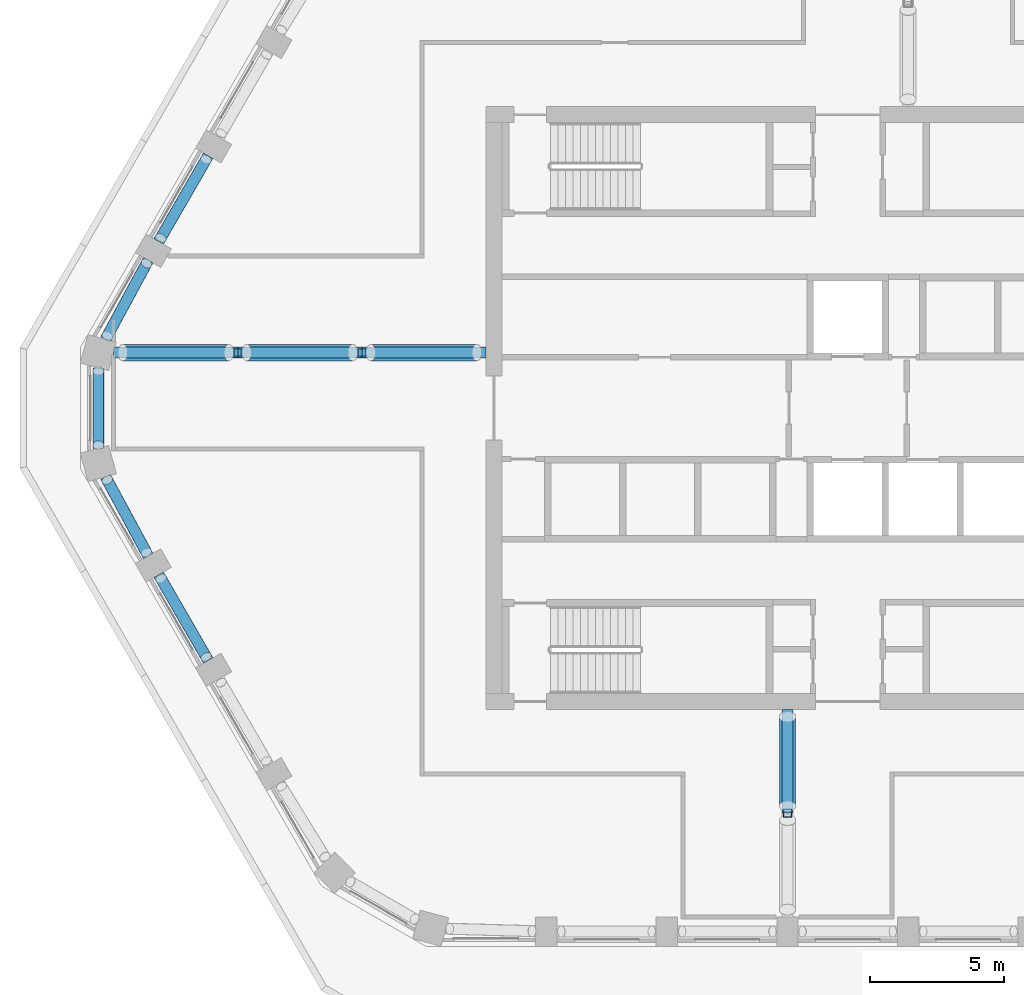
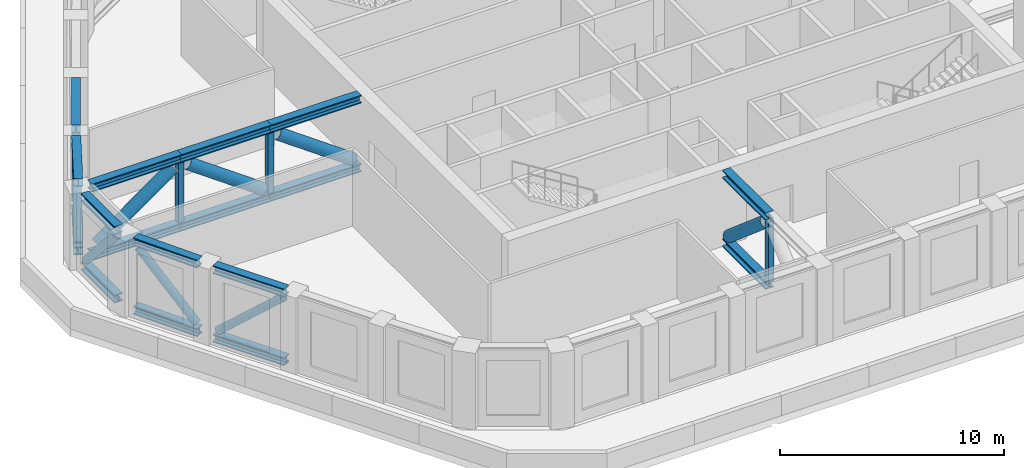
# One storey, part 2 of 15: 18 beams, 12 members.
"""IFC4 building model written with IfcOpenShell, lengths in metres."""

from ifc_helpers import new_model, si_unit, direction, frame, origin, origin_2d, place, context, subcontext, project, spatial, hollow_rectangle, hollow_circle, i_section, extrude, material, material_profile, profile_set, type_object, element, save


model = new_model("IFC4")

# Units and contexts
model_context = context("Model", 3, precision=1e-05, world=origin(), true_north=direction((0.0, 1.0)))
body_context = subcontext(model_context, "Body", "Model", "MODEL_VIEW")
ifc_project = project(units=[si_unit("LENGTHUNIT", "METRE"), si_unit("AREAUNIT", "SQUARE_METRE"), si_unit("VOLUMEUNIT", "CUBIC_METRE"), si_unit("PLANEANGLEUNIT", "RADIAN"), si_unit("MASSUNIT", "GRAM", prefix="KILO")], contexts=[model_context])

# Site, building, storey
site_placement = place(None, origin())
site = spatial("IfcSite", under=ifc_project, at=site_placement, CompositionType="ELEMENT")
building_placement = place(site_placement, origin())
building = spatial("IfcBuilding", under=site, at=building_placement, Name="Dhurran Vertical Campus", CompositionType="ELEMENT")
storey_placement = place(building_placement, frame((0.0, 0.0, 230.699951171875)))
storey = spatial("IfcBuildingStorey", under=building, at=storey_placement, Name="L57 Plant", CompositionType="ELEMENT", Elevation=230.699951171875)

# Beams
ifc_material_1 = material(Name="Steel ASTM A992", Category="steel")
ifc_material_profile_1 = material_profile(ifc_material_1, i_section(OverallWidth=0.412109375, OverallDepth=0.43505859375, WebThickness=0.035888671875, FlangeThickness=0.057373046875, at=origin_2d()), Name="W360x463")
ifc_profile_set_1 = profile_set([ifc_material_profile_1], Name="Steel ASTM A992")
beam_type_1 = type_object("IfcBeamType", Name="FR BELT CHORD W360x463", PredefinedType="BEAM", material=ifc_profile_set_1)
for number, where, z_axis, x_axis, name in (
    (1, (-23.870849609375, 9.4228515625, 0.217529296875), (-0.499964254978, -0.866046040199, 0.0), (0.866046040199, -0.499964254978, 0.0), "Belt truss chord L57"),
    (2, (-23.870849609375, 9.4228515625, 3.95751953125), (-0.499964254978, -0.866046040199, 0.0), (0.866046040199, -0.499964254978, 0.0), "Belt truss chord L57"),
):
    element("IfcBeam", number, at=place(storey_placement, frame(where, z_axis=z_axis, x_axis=x_axis)), inside=storey, type_object=beam_type_1, Name=name, PredefinedType="BEAM", context=body_context, shape_type="SweptSolid", body=[
        extrude(i_section(OverallWidth=0.412109375, OverallDepth=0.43505859375, WebThickness=0.035888671875, FlangeThickness=0.057373046875, at=origin_2d()), origin(), (0.0, 0.0, 1.0), 3.699951171875),
    ])
for number, where, z_axis, x_axis, name in (
    (3, (-26.11083984375, 5.52001953125, 0.217529296875), (-0.475045275209, -0.879961355118, 0.0), (0.879961355118, -0.475045275209, 0.0), "Belt truss chord L57"),
    (4, (-26.11083984375, 5.52001953125, 3.95751953125), (-0.475045275209, -0.879961355118, 0.0), (0.879961355118, -0.475045275209, 0.0), "Belt truss chord L57"),
):
    element("IfcBeam", number, at=place(storey_placement, frame(where, z_axis=z_axis, x_axis=x_axis)), inside=storey, type_object=beam_type_1, Name=name, PredefinedType="BEAM", context=body_context, shape_type="SweptSolid", body=[
        extrude(i_section(OverallWidth=0.412109375, OverallDepth=0.43505859375, WebThickness=0.035888671875, FlangeThickness=0.057373046875, at=origin_2d()), origin(), (0.0, 0.0, 1.0), 3.35595703125),
    ])
for number, where, z_axis, x_axis, name in (
    (5, (-27.973388671875, 1.5, 0.217529296875), (0.0, -1.0, 0.0), (1.0, 0.0, 0.0), "Belt truss chord L57"),
    (6, (-27.973388671875, 1.5, 3.95751953125), (0.0, -1.0, 0.0), (1.0, 0.0, 0.0), "Belt truss chord L57"),
):
    element("IfcBeam", number, at=place(storey_placement, frame(where, z_axis=z_axis, x_axis=x_axis)), inside=storey, type_object=beam_type_1, Name=name, PredefinedType="BEAM", context=body_context, shape_type="SweptSolid", body=[
        extrude(i_section(OverallWidth=0.412109375, OverallDepth=0.43505859375, WebThickness=0.035888671875, FlangeThickness=0.057373046875, at=origin_2d()), origin(), (0.0, 0.0, 1.0), 3.0),
    ])
for number, where, z_axis, x_axis, name in (
    (7, (-27.705078125, -2.56689453125, 0.217529296875), (0.475045275209, -0.879961355118, 0.0), (0.879961355118, 0.475045275209, 0.0), "Belt truss chord L57"),
    (8, (-27.705078125, -2.56689453125, 3.95751953125), (0.475045275209, -0.879961355118, 0.0), (0.879961355118, 0.475045275209, 0.0), "Belt truss chord L57"),
):
    element("IfcBeam", number, at=place(storey_placement, frame(where, z_axis=z_axis, x_axis=x_axis)), inside=storey, type_object=beam_type_1, Name=name, PredefinedType="BEAM", context=body_context, shape_type="SweptSolid", body=[
        extrude(i_section(OverallWidth=0.412109375, OverallDepth=0.43505859375, WebThickness=0.035888671875, FlangeThickness=0.057373046875, at=origin_2d()), origin(), (0.0, 0.0, 1.0), 3.35595703125),
    ])
for number, where, z_axis, x_axis, name in (
    (9, (-25.720703125, -6.218505859375, 0.217529296875), (0.499964254978, -0.866046040199, 0.0), (0.866046040199, 0.499964254978, 0.0), "Belt truss chord L57"),
    (10, (-25.720703125, -6.218505859375, 3.95751953125), (0.499964254978, -0.866046040199, 0.0), (0.866046040199, 0.499964254978, 0.0), "Belt truss chord L57"),
):
    element("IfcBeam", number, at=place(storey_placement, frame(where, z_axis=z_axis, x_axis=x_axis)), inside=storey, type_object=beam_type_1, Name=name, PredefinedType="BEAM", context=body_context, shape_type="SweptSolid", body=[
        extrude(i_section(OverallWidth=0.412109375, OverallDepth=0.43505859375, WebThickness=0.035888671875, FlangeThickness=0.057373046875, at=origin_2d()), origin(), (0.0, 0.0, 1.0), 3.699951171875),
    ])

# Members
ifc_material_2 = material(Name="Steel S355J2H", Category="steel")
ifc_material_profile_2 = material_profile(ifc_material_2, hollow_circle(Radius=0.203125, WallThickness=0.01611328125, at=origin_2d()), Name="CHS406.4x16")
ifc_profile_set_2 = profile_set([ifc_material_profile_2], Name="Steel S355J2H")
member_type_1 = type_object("IfcMemberType", Name="FR BELT DIAGONAL CHS406.4x16", PredefinedType="BRACE", material=ifc_profile_set_2)
member_1_placement = place(storey_placement, frame((-23.95556640625, 9.27587890625, 0.586669921875), z_axis=(-0.372911704288, -0.645863784224, 0.666180781044), x_axis=(0.866012586781, -0.500022199045, 0.0)))
element("IfcMember", 11, at=member_1_placement, inside=storey, type_object=member_type_1, Name="Belt truss diagonal L57", PredefinedType="BRACE", context=body_context, shape_type="SweptSolid", body=[
    extrude(hollow_circle(Radius=0.203125, WallThickness=0.01611328125, at=origin_2d()), origin(), (0.0, 0.0, 1.0), 4.506103515625),
])
member_2_placement = place(storey_placement, frame((-27.635009765625, 2.6962890625, 0.579833984375), z_axis=(0.338429667722, 0.62697831341, 0.701686222266), x_axis=(-0.879986727725, 0.474998272658, 0.0)))
element("IfcMember", 12, at=member_2_placement, inside=storey, type_object=member_type_1, Name="Belt truss diagonal L57", PredefinedType="BRACE", context=body_context, shape_type="SweptSolid", body=[
    extrude(hollow_circle(Radius=0.203125, WallThickness=0.01611328125, at=origin_2d()), origin(), (0.0, 0.0, 1.0), 4.29736328125),
])
member_3_placement = place(storey_placement, frame((-27.973388671875, 1.376220703125, 0.571533203125), z_axis=(0.0, -0.672150348738, 0.740414686977), x_axis=(1.0, 0.0, 0.0)))
element("IfcMember", 13, at=member_3_placement, inside=storey, type_object=member_type_1, Name="Belt truss diagonal L57", PredefinedType="BRACE", context=body_context, shape_type="SweptSolid", body=[
    extrude(hollow_circle(Radius=0.203125, WallThickness=0.01611328125, at=origin_2d()), origin(), (0.0, 0.0, 1.0), 4.094970703125),
])
member_4_placement = place(storey_placement, frame((-26.1806640625, -5.390625, 0.579833984375), z_axis=(-0.338429667722, 0.62697831341, 0.701686222266), x_axis=(-0.879986727725, -0.474998272658, 0.0)))
element("IfcMember", 14, at=member_4_placement, inside=storey, type_object=member_type_1, Name="Belt truss diagonal L57", PredefinedType="BRACE", context=body_context, shape_type="SweptSolid", body=[
    extrude(hollow_circle(Radius=0.203125, WallThickness=0.01611328125, at=origin_2d()), origin(), (0.0, 0.0, 1.0), 4.29736328125),
])
member_5_placement = place(storey_placement, frame((-25.635986328125, -6.365478515625, 0.586669921875), z_axis=(0.372911704288, -0.645863784224, 0.666180781044), x_axis=(0.866012586781, 0.500022199045, 0.0)))
element("IfcMember", 15, at=member_5_placement, inside=storey, type_object=member_type_1, Name="Belt truss diagonal L57", PredefinedType="BRACE", context=body_context, shape_type="SweptSolid", body=[
    extrude(hollow_circle(Radius=0.203125, WallThickness=0.01611328125, at=origin_2d()), origin(), (0.0, 0.0, 1.0), 4.506103515625),
])

# Beams
ifc_material_3 = material(Name="Steel ASTM A992", Category="steel")
ifc_material_profile_3 = material_profile(ifc_material_3, i_section(OverallWidth=0.412109375, OverallDepth=0.43505859375, WebThickness=0.035888671875, FlangeThickness=0.057373046875, at=origin_2d()), Name="W360x463")
ifc_profile_set_3 = profile_set([ifc_material_profile_3], Name="Steel ASTM A992")
beam_type_2 = type_object("IfcBeamType", Name="FR OUTRIGGER CHORD W360x463", PredefinedType="BEAM", material=ifc_profile_set_3)
for number, where, z_axis, x_axis, name in (
    (16, (-13.5, 2.069580078125, 0.217529296875), (-1.0, 0.0, 0.0), (0.0, -1.0, 0.0), "Outrigger truss chord L57"),
    (17, (-13.5, 2.069580078125, 3.95751953125), (-1.0, 0.0, 0.0), (0.0, -1.0, 0.0), "Outrigger truss chord L57"),
):
    element("IfcBeam", number, at=place(storey_placement, frame(where, z_axis=z_axis, x_axis=x_axis)), inside=storey, type_object=beam_type_2, Name=name, PredefinedType="BEAM", context=body_context, shape_type="SweptSolid", body=[
        extrude(i_section(OverallWidth=0.412109375, OverallDepth=0.43505859375, WebThickness=0.035888671875, FlangeThickness=0.057373046875, at=origin_2d()), origin(), (0.0, 0.0, 1.0), 4.634765625),
    ])
for number, where, z_axis, x_axis, name in (
    (18, (-18.134765625, 2.069580078125, 0.217529296875), (-1.0, 0.0, 0.0), (0.0, -1.0, 0.0), "Outrigger truss chord L57"),
    (19, (-18.134765625, 2.069580078125, 3.95751953125), (-1.0, 0.0, 0.0), (0.0, -1.0, 0.0), "Outrigger truss chord L57"),
):
    element("IfcBeam", number, at=place(storey_placement, frame(where, z_axis=z_axis, x_axis=x_axis)), inside=storey, type_object=beam_type_2, Name=name, PredefinedType="BEAM", context=body_context, shape_type="SweptSolid", body=[
        extrude(i_section(OverallWidth=0.412109375, OverallDepth=0.43505859375, WebThickness=0.035888671875, FlangeThickness=0.057373046875, at=origin_2d()), origin(), (0.0, 0.0, 1.0), 4.634521484375),
    ])
for number, where, z_axis, x_axis, name in (
    (20, (-22.769287109375, 2.069580078125, 0.217529296875), (-1.0, 0.0, 0.0), (0.0, -1.0, 0.0), "Outrigger truss chord L57"),
    (21, (-22.769287109375, 2.069580078125, 3.95751953125), (-1.0, 0.0, 0.0), (0.0, -1.0, 0.0), "Outrigger truss chord L57"),
):
    element("IfcBeam", number, at=place(storey_placement, frame(where, z_axis=z_axis, x_axis=x_axis)), inside=storey, type_object=beam_type_2, Name=name, PredefinedType="BEAM", context=body_context, shape_type="SweptSolid", body=[
        extrude(i_section(OverallWidth=0.412109375, OverallDepth=0.43505859375, WebThickness=0.035888671875, FlangeThickness=0.057373046875, at=origin_2d()), origin(), (0.0, 0.0, 1.0), 4.634765625),
    ])
for number, where, z_axis, x_axis, name in (
    (22, (-2.25, -11.25, 0.217529296875), (0.0, -1.0, 0.0), (1.0, 0.0, 0.0), "Outrigger truss chord L57"),
    (23, (-2.25, -11.25, 3.95751953125), (0.0, -1.0, 0.0), (1.0, 0.0, 0.0), "Outrigger truss chord L57"),
):
    element("IfcBeam", number, at=place(storey_placement, frame(where, z_axis=z_axis, x_axis=x_axis)), inside=storey, type_object=beam_type_2, Name=name, PredefinedType="BEAM", context=body_context, shape_type="SweptSolid", body=[
        extrude(i_section(OverallWidth=0.412109375, OverallDepth=0.43505859375, WebThickness=0.035888671875, FlangeThickness=0.057373046875, at=origin_2d()), origin(), (0.0, 0.0, 1.0), 3.869140625),
    ])

# Members
ifc_material_4 = material(Name="Steel S355J2H", Category="steel")
ifc_material_profile_4 = material_profile(ifc_material_4, hollow_circle(Radius=0.304931640625, WallThickness=0.02001953125, at=origin_2d()), Name="CHS610x20")
ifc_profile_set_4 = profile_set([ifc_material_profile_4], Name="Steel S355J2H")
member_type_2 = type_object("IfcMemberType", Name="FR OUTRIGGER DIAGONAL CHS610x20", PredefinedType="BRACE", material=ifc_profile_set_4)
member_6_placement = place(storey_placement, frame((-13.84814453125, 2.069580078125, 0.683349609375), z_axis=(-0.814207224043, 0.0, 0.580574367602), x_axis=(0.0, -1.0, 0.0)))
element("IfcMember", 24, at=member_6_placement, inside=storey, type_object=member_type_2, Name="Outrigger truss diagonal L57", PredefinedType="BRACE", context=body_context, shape_type="SweptSolid", body=[
    extrude(hollow_circle(Radius=0.304931640625, WallThickness=0.02001953125, at=origin_2d()), origin(), (0.0, 0.0, 1.0), 4.837158203125),
])
for number, where, z_axis, x_axis, name in (
    (25, (-18.48291015625, 2.069580078125, 0.683349609375), (-0.814190210717, 0.0, 0.580598226636), (0.0, -1.0, 0.0), "Outrigger truss diagonal L57"),
    (26, (-27.055908203125, 2.069580078125, 0.683349609375), (0.814190210717, 0.0, 0.580598226636), (0.0, 1.0, 0.0), "Outrigger truss diagonal L57"),
):
    element("IfcMember", number, at=place(storey_placement, frame(where, z_axis=z_axis, x_axis=x_axis)), inside=storey, type_object=member_type_2, Name=name, PredefinedType="BRACE", context=body_context, shape_type="SweptSolid", body=[
        extrude(hollow_circle(Radius=0.304931640625, WallThickness=0.02001953125, at=origin_2d()), origin(), (0.0, 0.0, 1.0), 4.8369140625),
    ])
member_7_placement = place(storey_placement, frame((-2.25, -11.521484375, 0.6669921875), z_axis=(0.0, -0.760378271958, 0.649480472019), x_axis=(1.0, 0.0, 0.0)))
element("IfcMember", 27, at=member_7_placement, inside=storey, type_object=member_type_2, Name="Outrigger truss diagonal L57", PredefinedType="BRACE", context=body_context, shape_type="SweptSolid", body=[
    extrude(hollow_circle(Radius=0.304931640625, WallThickness=0.02001953125, at=origin_2d()), origin(), (0.0, 0.0, 1.0), 4.374267578125),
])
ifc_material_5 = material(Name="Steel S355J2H", Category="steel")
ifc_material_profile_5 = material_profile(ifc_material_5, hollow_rectangle(XDim=0.300048828125, YDim=0.300048828125, WallThickness=0.012451171875, at=origin_2d()), Name="SHS300x300x12.5")
ifc_profile_set_5 = profile_set([ifc_material_profile_5], Name="Steel S355J2H")
member_type_3 = type_object("IfcMemberType", Name="FR OUTRIGGER POST SHS300x300x12.5", PredefinedType="POST", material=ifc_profile_set_5)
for number, where, z_axis, x_axis, name in (
    (28, (-18.134765625, 2.069580078125, 0.43505859375), (0.0, 0.0, 1.0), (-1.0, 0.0, 0.0), "Outrigger truss post L57"),
    (29, (-22.769287109375, 2.069580078125, 0.43505859375), (0.0, 0.0, 1.0), (-1.0, 0.0, 0.0), "Outrigger truss post L57"),
    (30, (-2.25, -15.119140625, 0.43505859375), (0.0, 0.0, 1.0), (0.0, -1.0, 0.0), "Outrigger truss post L57"),
):
    element("IfcMember", number, at=place(storey_placement, frame(where, z_axis=z_axis, x_axis=x_axis)), inside=storey, type_object=member_type_3, Name=name, PredefinedType="POST", context=body_context, shape_type="SweptSolid", body=[
        extrude(hollow_rectangle(XDim=0.300048828125, YDim=0.300048828125, WallThickness=0.012451171875, at=origin_2d()), origin(), (0.0, 0.0, 1.0), 3.304931640625),
    ])

save(model, "model.ifc")
